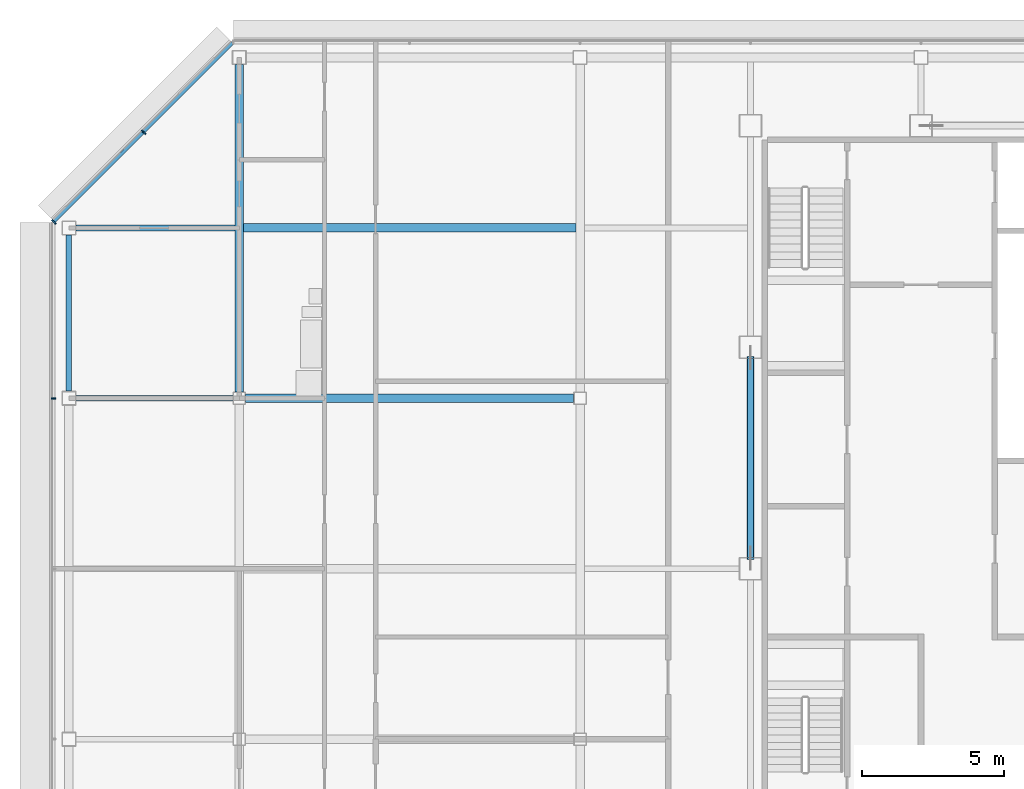
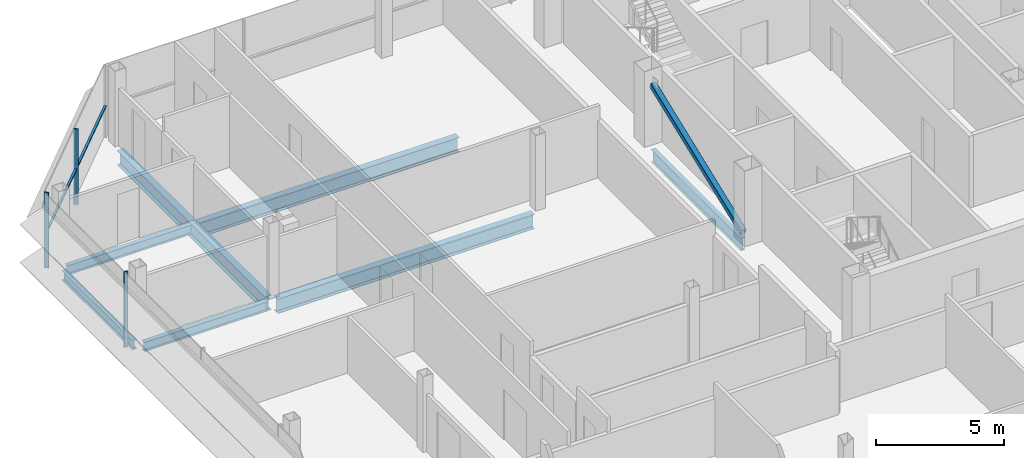
# One storey, part 13 of 28: 7 beams, 5 members, 2 elements without a shape of their own.
"""IFC4 building model written with IfcOpenShell, lengths in metres."""

import ifcopenshell
import ifcopenshell.guid

model = None  # the IFC model being written
_history = None  # IfcOwnerHistory: only IFC2X3 demands one
_inside = {}  # id of a spatial element -> (the spatial element, [elements in it])
_under = {}  # id of a project, library or spatial element -> (it, [spatial elements below it])
_declared = {}  # id of a project -> (the project, [libraries it declares])
_typed = {}  # id of a type object -> (the type object, [elements of that type])
_made_of = {}  # id of a material, layer set ... -> (it, [elements and type objects made of it])


def new_model(schema):
    """Start an empty IFC model of exactly this schema.

    Asked for "IFC4X3", IfcOpenShell would pick the latest addendum, in which some entities
    have other attributes; the version numbers below select the first issue.
    IFC2X3 requires an IfcOwnerHistory on every rooted entity: one is made here for all.
    """
    global model, _history
    if schema == "IFC4X3":
        model = ifcopenshell.file(schema_version=(4, 3, 0, 0))
    else:
        model = ifcopenshell.file(schema=schema)
    _inside.clear()
    _under.clear()
    _declared.clear()
    _typed.clear()
    _made_of.clear()
    _history = None
    if model.schema == "IFC2X3":
        org = make("IfcOrganization", Name="unknown")
        user = make(
            "IfcPersonAndOrganization",
            ThePerson=make("IfcPerson", FamilyName="unknown"),
            TheOrganization=org,
        )
        app = make(
            "IfcApplication",
            ApplicationDeveloper=org,
            Version="unknown",
            ApplicationFullName="unknown",
            ApplicationIdentifier="unknown",
        )
        _history = make(
            "IfcOwnerHistory",
            OwningUser=user,
            OwningApplication=app,
            ChangeAction="ADDED",
            CreationDate=0,
        )
    return model


def make(cls, **values):
    """One entity of the class cls with the attributes given. An attribute that is None is left unset."""
    return model.create_entity(
        cls, **{name: value for name, value in values.items() if value is not None}
    )


def rooted(cls, **values):
    """An entity with a GlobalId (a new one), such as an element, a storey or a relation."""
    return make(cls, GlobalId=ifcopenshell.guid.new(), OwnerHistory=_history, **values)


def si_unit(unit_type, name, prefix=None):
    """IfcSIUnit, for example si_unit("LENGTHUNIT", "METRE", prefix="MILLI")."""
    return make("IfcSIUnit", UnitType=unit_type, Prefix=prefix, Name=name)


def assignment(units):
    """IfcUnitAssignment: the units of a project."""
    return None if units is None else make("IfcUnitAssignment", Units=units)


def point(xyz):
    """IfcCartesianPoint."""
    return None if xyz is None else make("IfcCartesianPoint", Coordinates=xyz)


def direction(xyz):
    """IfcDirection."""
    return None if xyz is None else make("IfcDirection", DirectionRatios=xyz)


def frame(location, z_axis=None, x_axis=None):
    """IfcAxis2Placement3D, a coordinate frame: its origin and axes. An axis left out is left unset."""
    return make(
        "IfcAxis2Placement3D",
        Location=point(location),
        Axis=direction(z_axis),
        RefDirection=direction(x_axis),
    )


def frame_2d(location, x_axis=None):
    """IfcAxis2Placement2D, a coordinate frame in the plane: its origin and x axis."""
    return make(
        "IfcAxis2Placement2D", Location=point(location), RefDirection=direction(x_axis)
    )


def origin():
    """The frame at (0, 0, 0) with its axes left unset."""
    return frame((0.0, 0.0, 0.0))


def origin_2d():
    """The frame at (0, 0) in the plane with its x axis left unset."""
    return frame_2d((0.0, 0.0))


def place(relative_to, where):
    """IfcLocalPlacement: puts the frame where relative to a parent placement (None: the world)."""
    return make(
        "IfcLocalPlacement", PlacementRelTo=relative_to, RelativePlacement=where
    )


def context(
    kind, dimensions, precision=None, world=None, true_north=None, identifier=None
):
    """IfcGeometricRepresentationContext, for example the 3D "Model" context."""
    return make(
        "IfcGeometricRepresentationContext",
        ContextIdentifier=identifier,
        ContextType=kind,
        CoordinateSpaceDimension=dimensions,
        Precision=precision,
        WorldCoordinateSystem=world,
        TrueNorth=true_north,
    )


def subcontext(parent, identifier, kind, view, scale=None):
    """IfcGeometricRepresentationSubContext, for example "Body" below "Model"."""
    return make(
        "IfcGeometricRepresentationSubContext",
        ContextIdentifier=identifier,
        ContextType=kind,
        ParentContext=parent,
        TargetScale=scale,
        TargetView=view,
    )


def project(units=None, contexts=None):
    """IfcProject with its units and contexts."""
    return rooted(
        "IfcProject",
        Name="project",
        RepresentationContexts=contexts,
        UnitsInContext=assignment(units),
    )


def spatial(cls, under=None, at=None, **own):
    """A site, building, storey or space (cls), placed at a placement, below another one or the project."""
    s = rooted(cls, ObjectPlacement=at, **own)
    if under is not None:
        _under.setdefault(under.id(), (under, []))[1].append(s)
    return s


def profile(cls, at=None, kind="AREA", **sizes):
    """A parametric profile (cls). Its sizes go by their IFC names, for example OverallWidth=200.0."""
    return make(cls, ProfileType=kind, Position=at, **sizes)


def rectangle(**sizes):
    """IfcRectangleProfileDef."""
    return profile("IfcRectangleProfileDef", **sizes)


def hollow_rectangle(**sizes):
    """IfcRectangleHollowProfileDef."""
    return profile("IfcRectangleHollowProfileDef", **sizes)


def i_section(**sizes):
    """IfcIShapeProfileDef."""
    return profile("IfcIShapeProfileDef", **sizes)


def extrude(swept, where, along, depth):
    """IfcExtrudedAreaSolid: the profile swept, set in the frame where, extruded along a direction by depth."""
    return make(
        "IfcExtrudedAreaSolid",
        SweptArea=swept,
        Position=where,
        ExtrudedDirection=direction(along),
        Depth=depth,
    )


def shape(context_of_items, identifier, shape_type, items):
    """IfcShapeRepresentation: the items that make up one representation, for example the "Body"."""
    return make(
        "IfcShapeRepresentation",
        ContextOfItems=context_of_items,
        RepresentationIdentifier=identifier,
        RepresentationType=shape_type,
        Items=items,
    )


def material(Name=None, Category=None):
    """IfcMaterial."""
    return make("IfcMaterial", Name=Name, Category=Category)


def material_profile(
    of_material, cross_section, Name=None, Category=None, Priority=None
):
    """IfcMaterialProfile: a cross section and its material."""
    return make(
        "IfcMaterialProfile",
        Name=Name,
        Material=of_material,
        Profile=cross_section,
        Priority=Priority,
        Category=Category,
    )


def profile_set(profiles, Name=None, composite=None):
    """IfcMaterialProfileSet."""
    return make(
        "IfcMaterialProfileSet",
        Name=Name,
        MaterialProfiles=profiles,
        CompositeProfile=composite,
    )


def made_of(thing, what):
    """Note that an element or type object is made of a material, layer set ...; save() writes the relation."""
    if what is not None:
        _made_of.setdefault(what.id(), (what, []))[1].append(thing)
    return thing


def type_object(cls, material=None, **own):
    """A type object (cls), such as IfcWallType, which elements share."""
    return made_of(rooted(cls, **own), material)


def element(
    cls,
    number,
    at=None,
    inside=None,
    cuts=None,
    type_object=None,
    material=None,
    context=None,
    identifier="Body",
    shape_type=None,
    held_by="IfcProductDefinitionShape",
    body=None,
    shapes=None,
    **own,
):
    """One element of the class cls, such as IfcWall. Its Tag is "e" and its number.

    at: its placement. inside: the storey or other place that contains it. cuts: it is an
    opening in that element (IfcRelVoidsElement). A single representation is given by context,
    identifier, shape_type and body (its items); several are given by shapes. held_by: the class
    of the entity that holds the representations. save() writes the other relations.
    """
    e = rooted(cls, Tag="e%d" % number, ObjectPlacement=at, **own)
    if body is not None:
        shapes = [shape(context, identifier, shape_type, body)]
    if shapes is not None:
        e.Representation = make(held_by, Representations=shapes)
    if inside is not None:
        _inside.setdefault(inside.id(), (inside, []))[1].append(e)
    if cuts is not None:
        rooted(
            "IfcRelVoidsElement", RelatingBuildingElement=cuts, RelatedOpeningElement=e
        )
    if type_object is not None:
        _typed.setdefault(type_object.id(), (type_object, []))[1].append(e)
    return made_of(e, material)


def aggregate(whole, parts):
    """IfcRelAggregates: a whole, such as a stair, and the parts it consists of."""
    return rooted("IfcRelAggregates", RelatingObject=whole, RelatedObjects=parts)


def save(model, path):
    """Write the relations noted so far, then the file.

    IfcRelAggregates (storeys below a building ...), IfcRelContainedInSpatialStructure (elements
    in a storey), IfcRelDefinesByType, IfcRelAssociatesMaterial and IfcRelDeclares: one each for
    every whole, place, type object, material and project.
    """
    for whole, parts in _under.values():
        aggregate(whole, parts)
    for where, things in _inside.values():
        rooted(
            "IfcRelContainedInSpatialStructure",
            RelatedElements=things,
            RelatingStructure=where,
        )
    for kind, things in _typed.values():
        rooted("IfcRelDefinesByType", RelatedObjects=things, RelatingType=kind)
    for what, things in _made_of.values():
        rooted("IfcRelAssociatesMaterial", RelatedObjects=things, RelatingMaterial=what)
    for by, libraries in _declared.values():
        rooted("IfcRelDeclares", RelatingContext=by, RelatedDefinitions=libraries)
    model.write(path)


model = new_model("IFC4")

# Units and contexts
model_context = context("Model", 3, precision=1e-05, world=origin(), true_north=direction((0.0, 1.0)))
body_context = subcontext(model_context, "Body", "Model", "MODEL_VIEW")
ifc_project = project(units=[si_unit("LENGTHUNIT", "METRE"), si_unit("AREAUNIT", "SQUARE_METRE"), si_unit("VOLUMEUNIT", "CUBIC_METRE"), si_unit("PLANEANGLEUNIT", "RADIAN"), si_unit("MASSUNIT", "GRAM", prefix="KILO")], contexts=[model_context])

# Site, building, storey
site_placement = place(None, origin())
site = spatial("IfcSite", under=ifc_project, at=site_placement, CompositionType="ELEMENT")
building_placement = place(site_placement, origin())
building = spatial("IfcBuilding", under=site, at=building_placement, Name="Sorahane Residences", CompositionType="ELEMENT")
storey_placement = place(building_placement, frame((0.0, 0.0, 305.199951171875)))
storey = spatial("IfcBuildingStorey", under=building, at=storey_placement, Name="L72", CompositionType="ELEMENT", Elevation=305.199951171875)

# Member
ifc_material_1 = material(Name="Steel Q355B", Category="steel")
ifc_material_profile_1 = material_profile(ifc_material_1, hollow_rectangle(XDim=0.25, YDim=0.25, WallThickness=0.011962890625, InnerFilletRadius=0.006103515625, OuterFilletRadius=0.01806640625, at=origin_2d()), Name="RHS 250x250x12")
ifc_profile_set_1 = profile_set([ifc_material_profile_1], Name="Steel Q355B")
member_type_1 = type_object("IfcMemberType", Name="Core brace RHS 250x250x12 Q355B", PredefinedType="BRACE", material=ifc_profile_set_1)
member_1_placement = place(storey_placement, frame((6.0, 30.372802734375, 0.114501953125), z_axis=(0.0, 0.932102104456, 0.362195619617), x_axis=(-1.0, 0.0, 0.0)))
element("IfcMember", 1, at=member_1_placement, inside=storey, type_object=member_type_1, Name="Core brace L72 x6-2", PredefinedType="BRACE", context=body_context, shape_type="SweptSolid", body=[
    extrude(hollow_rectangle(XDim=0.25, YDim=0.25, WallThickness=0.011962890625, InnerFilletRadius=0.006103515625, OuterFilletRadius=0.01806640625, at=origin_2d()), origin(), (0.0, 0.0, 1.0), 7.568359375),
])

# Curtain wall, member
ifc_material_2 = material(Name="Dark low-e glass and black anodised aluminium", Category="aluminium")
curtain_wall_type_1 = type_object("IfcCurtainWallType", Name="Curtain wall CW-1 Typical unitised wall", PredefinedType="NOTDEFINED", material=ifc_material_2)
curtain_wall_1_placement = place(storey_placement, origin())
curtain_wall_1 = element("IfcCurtainWall", 2, at=curtain_wall_1_placement, inside=storey, type_object=curtain_wall_type_1, Name="CW-1 curtain wall L72 W1", PredefinedType="NOTDEFINED")
ifc_material_3 = material(Name="Black anodised aluminium", Category="aluminium")
ifc_material_profile_2 = material_profile(ifc_material_3, rectangle(XDim=0.159912109375, YDim=0.050048828125, at=origin_2d()), Name="Curtain wall mullion CW-1 black anodised aluminium 50x160")
ifc_profile_set_2 = profile_set([ifc_material_profile_2], Name="Black anodised aluminium")
member_type_2 = type_object("IfcMemberType", Name="Curtain wall mullion CW-1 black anodised aluminium 50x160", PredefinedType="MULLION", material=ifc_profile_set_2)
member_2_placement = place(storey_placement, frame((-18.5400390625, 36.0, -0.179931640625), z_axis=(0.0, 0.0, 1.0), x_axis=(-1.0, 0.0, 0.0)))
member_2 = element("IfcMember", 3, at=member_2_placement, type_object=member_type_2, Name="CW-1 mullion L72 W1.2", PredefinedType="MULLION", context=body_context, shape_type="SweptSolid", body=[
    extrude(rectangle(XDim=0.159912109375, YDim=0.050048828125, at=origin_2d()), origin(), (0.0, 0.0, 1.0), 3.60009765625),
])
aggregate(curtain_wall_1, [member_2])

# Curtain wall, members
ifc_material_4 = material(Name="Dark low-e glass and black anodised aluminium", Category="aluminium")
curtain_wall_type_2 = type_object("IfcCurtainWallType", Name="Curtain wall CW-2 Chamfer unitised wall", PredefinedType="NOTDEFINED", material=ifc_material_4)
curtain_wall_2_placement = place(storey_placement, origin())
curtain_wall_2 = element("IfcCurtainWall", 4, at=curtain_wall_2_placement, inside=storey, type_object=curtain_wall_type_2, Name="CW-2 curtain wall L72 NW1", PredefinedType="NOTDEFINED")
ifc_material_5 = material(Name="Black anodised aluminium", Category="aluminium")
ifc_material_profile_3 = material_profile(ifc_material_5, rectangle(XDim=0.199951171875, YDim=0.050048828125, at=origin_2d()), Name="Curtain wall mullion CW-2 black anodised aluminium 50x200")
ifc_profile_set_3 = profile_set([ifc_material_profile_3], Name="Black anodised aluminium")
member_type_3 = type_object("IfcMemberType", Name="Curtain wall mullion CW-2 black anodised aluminium 50x200", PredefinedType="MULLION", material=ifc_profile_set_3)
member_3_placement = place(storey_placement, frame((-15.36767578125, 45.36767578125, -0.179931640625), z_axis=(0.0, 0.0, 1.0), x_axis=(-0.707106781187, 0.707106781187, 0.0)))
member_3 = element("IfcMember", 5, at=member_3_placement, type_object=member_type_3, Name="CW-2 mullion L72 NW1.2", PredefinedType="MULLION", context=body_context, shape_type="SweptSolid", body=[
    extrude(rectangle(XDim=0.199951171875, YDim=0.050048828125, at=origin_2d()), origin(), (0.0, 0.0, 1.0), 3.60009765625),
])
member_4_placement = place(storey_placement, frame((-18.525634765625, 42.209716796875, -0.179931640625), z_axis=(0.0, 0.0, 1.0), x_axis=(-0.707106781187, 0.707106781187, 0.0)))
member_4 = element("IfcMember", 6, at=member_4_placement, type_object=member_type_3, Name="CW-2 mullion L72 NW1.3", PredefinedType="MULLION", context=body_context, shape_type="SweptSolid", body=[
    extrude(rectangle(XDim=0.199951171875, YDim=0.050048828125, at=origin_2d()), origin(), (0.0, 0.0, 1.0), 3.60009765625),
])
ifc_material_6 = material(Name="Black anodised aluminium", Category="aluminium")
ifc_material_profile_4 = material_profile(ifc_material_6, rectangle(XDim=0.10009765625, YDim=0.06005859375, at=origin_2d()), Name="Curtain wall transom CW-2 black anodised aluminium 60x100")
ifc_profile_set_4 = profile_set([ifc_material_profile_4], Name="Black anodised aluminium")
member_type_4 = type_object("IfcMemberType", Name="Curtain wall transom CW-2 black anodised aluminium 60x100", PredefinedType="USERDEFINED", material=ifc_profile_set_4)
member_5_placement = place(storey_placement, frame((-12.234375, 48.51513671875, 1.5), z_axis=(-0.707106781187, -0.707106781187, 0.0), x_axis=(0.707106781187, -0.707106781187, 0.0)))
member_5 = element("IfcMember", 7, at=member_5_placement, type_object=member_type_4, Name="CW-2 transom L72 NW1", ObjectType="TRANSOM", PredefinedType="USERDEFINED", context=body_context, shape_type="SweptSolid", body=[
    extrude(rectangle(XDim=0.10009765625, YDim=0.06005859375, at=origin_2d()), origin(), (0.0, 0.0, 1.0), 8.88232421875),
])
aggregate(curtain_wall_2, [member_3, member_4, member_5])

# Beams
ifc_material_7 = material(Name="Steel Q355B", Category="steel")
ifc_material_profile_5 = material_profile(ifc_material_7, i_section(OverallWidth=0.199951171875, OverallDepth=0.449951171875, WebThickness=0.009033203125, FlangeThickness=0.013916015625, FilletRadius=0.02001953125, at=origin_2d()), Name="HN 450x200x9x14")
ifc_profile_set_5 = profile_set([ifc_material_profile_5], Name="Steel Q355B")
beam_type_1 = type_object("IfcBeamType", Name="Steel floor beam HN 450x200x9x14 Q355B", PredefinedType="BEAM", material=ifc_profile_set_5)
beam_1_placement = place(storey_placement, frame((-17.75, 36.0, -0.405029296875), z_axis=(1.0, 0.0, 0.0), x_axis=(0.0, 1.0, 0.0)))
element("IfcBeam", 8, at=beam_1_placement, inside=storey, type_object=beam_type_1, Name="Beam L72 013", PredefinedType="BEAM", context=body_context, shape_type="SweptSolid", body=[
    extrude(i_section(OverallWidth=0.199951171875, OverallDepth=0.449951171875, WebThickness=0.009033203125, FlangeThickness=0.013916015625, FilletRadius=0.02001953125, at=origin_2d()), origin(), (0.0, 0.0, 1.0), 5.52490234375),
])
beam_2_placement = place(storey_placement, frame((-18.0, 36.25, -0.405029296875), z_axis=(0.0, 1.0, 0.0), x_axis=(-1.0, 0.0, 0.0)))
element("IfcBeam", 9, at=beam_2_placement, inside=storey, type_object=beam_type_1, Name="Beam L72 023", PredefinedType="BEAM", context=body_context, shape_type="SweptSolid", body=[
    extrude(i_section(OverallWidth=0.199951171875, OverallDepth=0.449951171875, WebThickness=0.009033203125, FlangeThickness=0.013916015625, FilletRadius=0.02001953125, at=origin_2d()), origin(), (0.0, 0.0, 1.0), 5.5),
])
beam_3_placement = place(storey_placement, frame((-17.75, 42.0, -0.405029296875), z_axis=(1.0, 0.0, 0.0), x_axis=(0.0, 1.0, 0.0)))
element("IfcBeam", 10, at=beam_3_placement, inside=storey, type_object=beam_type_1, Name="Beam L72 087", PredefinedType="BEAM", context=body_context, shape_type="SweptSolid", body=[
    extrude(i_section(OverallWidth=0.199951171875, OverallDepth=0.449951171875, WebThickness=0.009033203125, FlangeThickness=0.013916015625, FilletRadius=0.02001953125, at=origin_2d()), origin(), (0.0, 0.0, 1.0), 5.60009765625),
])
ifc_material_8 = material(Name="Steel Q355B", Category="steel")
ifc_material_profile_6 = material_profile(ifc_material_8, i_section(OverallWidth=0.199951171875, OverallDepth=0.60009765625, WebThickness=0.010986328125, FlangeThickness=0.01708984375, FilletRadius=0.02392578125, at=origin_2d()), Name="HN 600x200x11x17")
ifc_profile_set_6 = profile_set([ifc_material_profile_6], Name="Steel Q355B")
beam_type_2 = type_object("IfcBeamType", Name="Steel floor beam HN 600x200x11x17 Q355B", PredefinedType="BEAM", material=ifc_profile_set_6)
beam_4_placement = place(storey_placement, frame((6.0, 30.39990234375, -0.47998046875), z_axis=(0.0, 1.0, 0.0), x_axis=(-1.0, 0.0, 0.0)))
element("IfcBeam", 11, at=beam_4_placement, inside=storey, type_object=beam_type_2, Name="Beam L72 035", PredefinedType="BEAM", context=body_context, shape_type="SweptSolid", body=[
    extrude(i_section(OverallWidth=0.199951171875, OverallDepth=0.60009765625, WebThickness=0.010986328125, FlangeThickness=0.01708984375, FilletRadius=0.02392578125, at=origin_2d()), origin(), (0.0, 0.0, 1.0), 7.0),
])
ifc_material_9 = material(Name="Steel Q355B", Category="steel")
ifc_material_profile_7 = material_profile(ifc_material_9, i_section(OverallWidth=0.300048828125, OverallDepth=0.699951171875, WebThickness=0.012939453125, FlangeThickness=0.02392578125, FilletRadius=0.028076171875, at=origin_2d()), Name="HN 700x300x13x24")
ifc_profile_set_7 = profile_set([ifc_material_profile_7], Name="Steel Q355B")
beam_type_3 = type_object("IfcBeamType", Name="Steel floor beam HN 700x300x13x24 Q355B", PredefinedType="BEAM", material=ifc_profile_set_7)
beam_5_placement = place(storey_placement, frame((-11.77490234375, 36.0, -0.530029296875), z_axis=(1.0, 0.0, 0.0), x_axis=(0.0, 1.0, 0.0)))
element("IfcBeam", 12, at=beam_5_placement, inside=storey, type_object=beam_type_3, Name="Beam L72 014", PredefinedType="BEAM", context=body_context, shape_type="SweptSolid", body=[
    extrude(i_section(OverallWidth=0.300048828125, OverallDepth=0.699951171875, WebThickness=0.012939453125, FlangeThickness=0.02392578125, FilletRadius=0.028076171875, at=origin_2d()), origin(), (0.0, 0.0, 1.0), 11.5498046875),
])
beam_6_placement = place(storey_placement, frame((-12.0, 36.22509765625, -0.530029296875), z_axis=(0.0, 1.0, 0.0), x_axis=(-1.0, 0.0, 0.0)))
element("IfcBeam", 13, at=beam_6_placement, inside=storey, type_object=beam_type_3, Name="Beam L72 027", PredefinedType="BEAM", context=body_context, shape_type="SweptSolid", body=[
    extrude(i_section(OverallWidth=0.300048828125, OverallDepth=0.699951171875, WebThickness=0.012939453125, FlangeThickness=0.02392578125, FilletRadius=0.028076171875, at=origin_2d()), origin(), (0.0, 0.0, 1.0), 11.52490234375),
])
beam_7_placement = place(storey_placement, frame((-11.85009765625, 42.0, -0.530029296875), z_axis=(1.0, 0.0, 0.0), x_axis=(0.0, 1.0, 0.0)))
element("IfcBeam", 14, at=beam_7_placement, inside=storey, type_object=beam_type_3, Name="Beam L72 088", PredefinedType="BEAM", context=body_context, shape_type="SweptSolid", body=[
    extrude(i_section(OverallWidth=0.300048828125, OverallDepth=0.699951171875, WebThickness=0.012939453125, FlangeThickness=0.02392578125, FilletRadius=0.028076171875, at=origin_2d()), origin(), (0.0, 0.0, 1.0), 11.7001953125),
])

save(model, "model.ifc")
